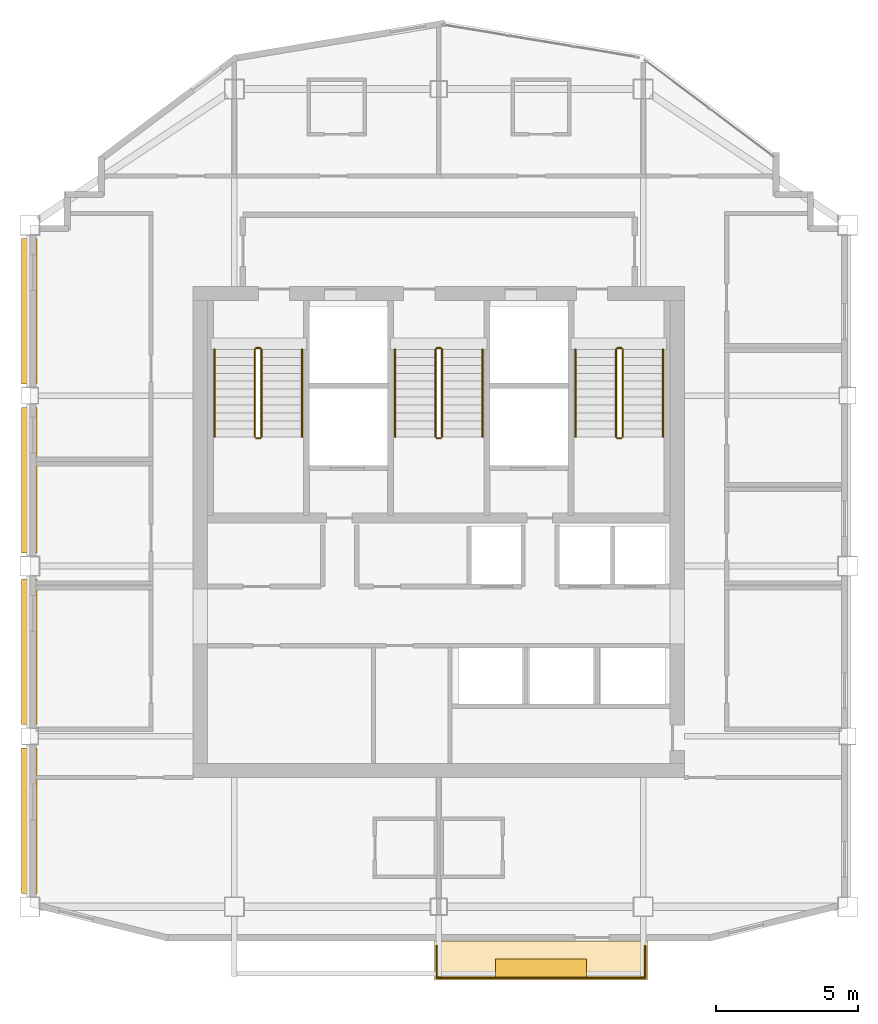
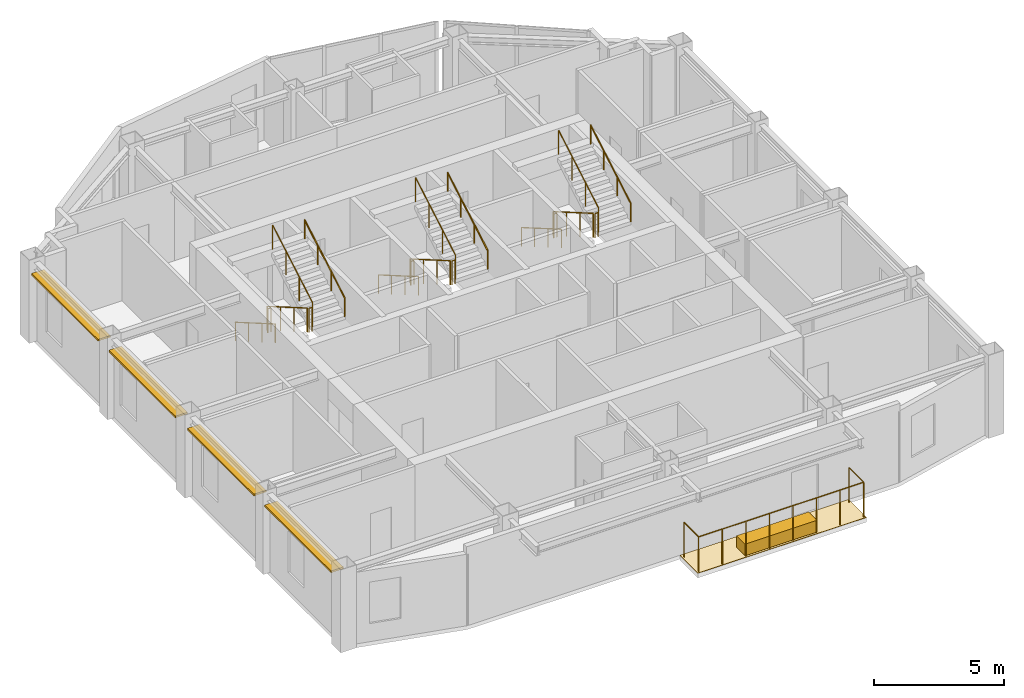
# One storey, part 8 of 8: 20 railings, 4 shading devices, 2 coverings.
"""IFC4 building model written with IfcOpenShell, lengths in metres."""

from ifc_helpers import new_model, si_unit, direction, frame, origin, origin_2d, place, context, subcontext, project, spatial, polyline, rectangle, circle, outline, extrude, material, layer, layer_set, type_object, element, save


model = new_model("IFC4")

# Units and contexts
model_context = context("Model", 3, precision=1e-05, world=origin(), true_north=direction((0.0, 1.0)))
body_context = subcontext(model_context, "Body", "Model", "MODEL_VIEW")
ifc_project = project(units=[si_unit("LENGTHUNIT", "METRE"), si_unit("AREAUNIT", "SQUARE_METRE"), si_unit("VOLUMEUNIT", "CUBIC_METRE"), si_unit("PLANEANGLEUNIT", "RADIAN"), si_unit("MASSUNIT", "GRAM", prefix="KILO")], contexts=[model_context])

# Site, building, storey
site_placement = place(None, origin())
site = spatial("IfcSite", under=ifc_project, at=site_placement, CompositionType="ELEMENT")
building_placement = place(site_placement, origin())
building = spatial("IfcBuilding", under=site, at=building_placement, Name="Haolan Belvedere Tower", CompositionType="ELEMENT")
storey_placement = place(building_placement, frame((0.0, 0.0, 293.89990234375)))
storey = spatial("IfcBuildingStorey", under=building, at=storey_placement, Name="L74", CompositionType="ELEMENT", Elevation=293.89990234375)

# Coverings
ifc_material_1 = material(Name="Engineered lightweight planted garden soil substrate", Category="masonry")
ifc_layer_1 = layer(ifc_material_1, 0.550048828125, Name="Engineered lightweight planted garden soil substrate")
ifc_layer_set_1 = layer_set([ifc_layer_1], Name="Engineered lightweight planted garden soil substrate")
covering_type_1 = type_object("IfcCoveringType", Name="COV-PLANT-550", PredefinedType="MEMBRANE", material=ifc_layer_set_1)
covering_1_placement = place(storey_placement, frame((42.0, 19.43994140625, 0.0), z_axis=(0.0, 0.0, 1.0), x_axis=(1.0, 0.0, 0.0)))
element("IfcCovering", 1, at=covering_1_placement, inside=storey, type_object=covering_type_1, Name="L74 structural tree balcony PLANTER box 1", PredefinedType="MEMBRANE", context=body_context, shape_type="SweptSolid", body=[
    extrude(rectangle(XDim=3.199951171875, YDim=0.64990234375, at=origin_2d()), origin(), (0.0, 0.0, 1.0), 0.550048828125),
])
ifc_material_2 = material(Name="Elastomeric waterproof roofing membrane and stone pavers", Category="masonry")
ifc_layer_2 = layer(ifc_material_2, 0.02001953125, Name="Elastomeric waterproof roofing membrane and stone pavers")
ifc_layer_set_2 = layer_set([ifc_layer_2], Name="Elastomeric waterproof roofing membrane and stone pavers")
covering_type_2 = type_object("IfcCoveringType", Name="COV-ROOF-20", PredefinedType="ROOFING", material=ifc_layer_set_2)
covering_2_placement = place(storey_placement, frame((0.0, 0.0, -0.02001953125)))
element("IfcCovering", 2, at=covering_2_placement, inside=storey, type_object=covering_type_2, Name="L74 tree-balcony waterproof membrane 1", PredefinedType="ROOFING", context=body_context, shape_type="SweptSolid", body=[
    extrude(outline(polyline([(38.25, 19.02001953125), (45.75, 19.02001953125), (45.75, 20.39990234375), (38.25, 20.39990234375), (38.25, 19.02001953125)])), origin(), (0.0, 0.0, 1.0), 0.02001953125),
])

# Railings
ifc_material_3 = material(Name="Brushed stainless steel 304", Category="steel")
railing_type_1 = type_object("IfcRailingType", Name="RL-STAIR-GRD-1150", PredefinedType="GUARDRAIL", material=ifc_material_3)
railing_1_placement = place(storey_placement, frame((31.919921875, 41.22998046875, 0.16259765625)))
element("IfcRailing", 3, at=railing_1_placement, inside=storey, type_object=railing_type_1, Name="L74 ST1 stair guard 1", PredefinedType="GUARDRAIL", context=body_context, shape_type="SweptSolid", body=[
    extrude(circle(Radius=0.02392578125, at=origin_2d()), frame((0.0, 0.0, 1.1259765625), z_axis=(0.0, -0.864890721111, 0.501960198159), x_axis=(1.0, 0.0, 0.0)), (0.0, 0.0, 1.0), 3.561279296875),
    extrude(circle(Radius=0.02099609375, at=origin_2d()), origin(), (0.0, 0.0, 1.0), 1.101806640625),
    extrude(circle(Radius=0.02099609375, at=origin_2d()), frame((0.0, -1.026611328125, 0.595947265625)), (0.0, 0.0, 1.0), 1.101806640625),
    extrude(circle(Radius=0.02099609375, at=origin_2d()), frame((0.0, -2.053466796875, 1.191650390625)), (0.0, 0.0, 1.0), 1.101806640625),
    extrude(circle(Radius=0.02099609375, at=origin_2d()), frame((0.0, -3.080078125, 1.78759765625)), (0.0, 0.0, 1.0), 1.101806640625),
])
railing_2_placement = place(storey_placement, frame((31.969970703125, 38.10009765625, 1.9501953125)))
element("IfcRailing", 4, at=railing_2_placement, inside=storey, type_object=railing_type_1, Name="L74 ST1 stair guard 2", PredefinedType="GUARDRAIL", context=body_context, shape_type="SweptSolid", body=[
    extrude(circle(Radius=0.02392578125, at=origin_2d()), frame((0.0, 0.0, 1.1259765625), z_axis=(1.0, 0.0, 0.0), x_axis=(0.0, 1.0, 0.0)), (0.0, 0.0, 1.0), 0.14013671875),
    extrude(circle(Radius=0.02099609375, at=origin_2d()), origin(), (0.0, 0.0, 1.0), 1.101806640625),
    extrude(circle(Radius=0.02099609375, at=origin_2d()), frame((0.14013671875, 0.0, 0.0)), (0.0, 0.0, 1.0), 1.101806640625),
])
railing_3_placement = place(storey_placement, frame((32.159912109375, 38.14990234375, 2.112548828125)))
element("IfcRailing", 5, at=railing_3_placement, inside=storey, type_object=railing_type_1, Name="L74 ST1 stair guard 3", PredefinedType="GUARDRAIL", context=body_context, shape_type="SweptSolid", body=[
    extrude(circle(Radius=0.02392578125, at=origin_2d()), frame((0.0, 0.0, 1.1259765625), z_axis=(0.0, 0.864890721111, 0.501960198159), x_axis=(-1.0, 0.0, 0.0)), (0.0, 0.0, 1.0), 3.561279296875),
    extrude(circle(Radius=0.02099609375, at=origin_2d()), origin(), (0.0, 0.0, 1.0), 1.101806640625),
    extrude(circle(Radius=0.02099609375, at=origin_2d()), frame((0.0, 1.026611328125, 0.595947265625)), (0.0, 0.0, 1.0), 1.101806640625),
    extrude(circle(Radius=0.02099609375, at=origin_2d()), frame((0.0, 2.053466796875, 1.191650390625)), (0.0, 0.0, 1.0), 1.101806640625),
    extrude(circle(Radius=0.02099609375, at=origin_2d()), frame((0.0, 3.080078125, 1.78759765625)), (0.0, 0.0, 1.0), 1.101806640625),
])
railing_4_placement = place(storey_placement, frame((31.969970703125, 41.280029296875, 0.0)))
element("IfcRailing", 6, at=railing_4_placement, inside=storey, type_object=railing_type_1, Name="L74 ST1 stair guard 4", PredefinedType="GUARDRAIL", context=body_context, shape_type="SweptSolid", body=[
    extrude(circle(Radius=0.02392578125, at=origin_2d()), frame((0.0, 0.0, 1.1259765625), z_axis=(1.0, 0.0, 0.0), x_axis=(0.0, 1.0, 0.0)), (0.0, 0.0, 1.0), 0.14013671875),
    extrude(circle(Radius=0.02099609375, at=origin_2d()), origin(), (0.0, 0.0, 1.0), 1.101806640625),
    extrude(circle(Radius=0.02099609375, at=origin_2d()), frame((0.14013671875, 0.0, 0.0)), (0.0, 0.0, 1.0), 1.101806640625),
])
railing_5_placement = place(storey_placement, frame((38.280029296875, 41.22998046875, 0.16259765625)))
element("IfcRailing", 7, at=railing_5_placement, inside=storey, type_object=railing_type_1, Name="L74 ST3 stair guard 1", PredefinedType="GUARDRAIL", context=body_context, shape_type="SweptSolid", body=[
    extrude(circle(Radius=0.02392578125, at=origin_2d()), frame((0.0, 0.0, 1.1259765625), z_axis=(0.0, -0.864890721111, 0.501960198159), x_axis=(1.0, 0.0, 0.0)), (0.0, 0.0, 1.0), 3.561279296875),
    extrude(circle(Radius=0.02099609375, at=origin_2d()), origin(), (0.0, 0.0, 1.0), 1.101806640625),
    extrude(circle(Radius=0.02099609375, at=origin_2d()), frame((0.0, -1.026611328125, 0.595947265625)), (0.0, 0.0, 1.0), 1.101806640625),
    extrude(circle(Radius=0.02099609375, at=origin_2d()), frame((0.0, -2.053466796875, 1.191650390625)), (0.0, 0.0, 1.0), 1.101806640625),
    extrude(circle(Radius=0.02099609375, at=origin_2d()), frame((0.0, -3.080078125, 1.78759765625)), (0.0, 0.0, 1.0), 1.101806640625),
])
railing_6_placement = place(storey_placement, frame((38.330078125, 38.10009765625, 1.9501953125)))
element("IfcRailing", 8, at=railing_6_placement, inside=storey, type_object=railing_type_1, Name="L74 ST3 stair guard 2", PredefinedType="GUARDRAIL", context=body_context, shape_type="SweptSolid", body=[
    extrude(circle(Radius=0.02392578125, at=origin_2d()), frame((0.0, 0.0, 1.1259765625), z_axis=(1.0, 0.0, 0.0), x_axis=(0.0, 1.0, 0.0)), (0.0, 0.0, 1.0), 0.139892578125),
    extrude(circle(Radius=0.02099609375, at=origin_2d()), origin(), (0.0, 0.0, 1.0), 1.101806640625),
    extrude(circle(Radius=0.02099609375, at=origin_2d()), frame((0.139892578125, 0.0, 0.0)), (0.0, 0.0, 1.0), 1.101806640625),
])
railing_7_placement = place(storey_placement, frame((38.52001953125, 38.14990234375, 2.112548828125)))
element("IfcRailing", 9, at=railing_7_placement, inside=storey, type_object=railing_type_1, Name="L74 ST3 stair guard 3", PredefinedType="GUARDRAIL", context=body_context, shape_type="SweptSolid", body=[
    extrude(circle(Radius=0.02392578125, at=origin_2d()), frame((0.0, 0.0, 1.1259765625), z_axis=(0.0, 0.864890721111, 0.501960198159), x_axis=(-1.0, 0.0, 0.0)), (0.0, 0.0, 1.0), 3.561279296875),
    extrude(circle(Radius=0.02099609375, at=origin_2d()), origin(), (0.0, 0.0, 1.0), 1.101806640625),
    extrude(circle(Radius=0.02099609375, at=origin_2d()), frame((0.0, 1.026611328125, 0.595947265625)), (0.0, 0.0, 1.0), 1.101806640625),
    extrude(circle(Radius=0.02099609375, at=origin_2d()), frame((0.0, 2.053466796875, 1.191650390625)), (0.0, 0.0, 1.0), 1.101806640625),
    extrude(circle(Radius=0.02099609375, at=origin_2d()), frame((0.0, 3.080078125, 1.78759765625)), (0.0, 0.0, 1.0), 1.101806640625),
])
railing_8_placement = place(storey_placement, frame((38.330078125, 41.280029296875, 0.0)))
element("IfcRailing", 10, at=railing_8_placement, inside=storey, type_object=railing_type_1, Name="L74 ST3 stair guard 4", PredefinedType="GUARDRAIL", context=body_context, shape_type="SweptSolid", body=[
    extrude(circle(Radius=0.02392578125, at=origin_2d()), frame((0.0, 0.0, 1.1259765625), z_axis=(1.0, 0.0, 0.0), x_axis=(0.0, 1.0, 0.0)), (0.0, 0.0, 1.0), 0.139892578125),
    extrude(circle(Radius=0.02099609375, at=origin_2d()), origin(), (0.0, 0.0, 1.0), 1.101806640625),
    extrude(circle(Radius=0.02099609375, at=origin_2d()), frame((0.139892578125, 0.0, 0.0)), (0.0, 0.0, 1.0), 1.101806640625),
])
railing_9_placement = place(storey_placement, frame((44.639892578125, 41.22998046875, 0.16259765625)))
element("IfcRailing", 11, at=railing_9_placement, inside=storey, type_object=railing_type_1, Name="L74 ST2 stair guard 1", PredefinedType="GUARDRAIL", context=body_context, shape_type="SweptSolid", body=[
    extrude(circle(Radius=0.02392578125, at=origin_2d()), frame((0.0, 0.0, 1.1259765625), z_axis=(0.0, -0.864890721111, 0.501960198159), x_axis=(1.0, 0.0, 0.0)), (0.0, 0.0, 1.0), 3.561279296875),
    extrude(circle(Radius=0.02099609375, at=origin_2d()), origin(), (0.0, 0.0, 1.0), 1.101806640625),
    extrude(circle(Radius=0.02099609375, at=origin_2d()), frame((0.0, -1.026611328125, 0.595947265625)), (0.0, 0.0, 1.0), 1.101806640625),
    extrude(circle(Radius=0.02099609375, at=origin_2d()), frame((0.0, -2.053466796875, 1.191650390625)), (0.0, 0.0, 1.0), 1.101806640625),
    extrude(circle(Radius=0.02099609375, at=origin_2d()), frame((0.0, -3.080078125, 1.78759765625)), (0.0, 0.0, 1.0), 1.101806640625),
])
railing_10_placement = place(storey_placement, frame((44.68994140625, 38.10009765625, 1.9501953125)))
element("IfcRailing", 12, at=railing_10_placement, inside=storey, type_object=railing_type_1, Name="L74 ST2 stair guard 2", PredefinedType="GUARDRAIL", context=body_context, shape_type="SweptSolid", body=[
    extrude(circle(Radius=0.02392578125, at=origin_2d()), frame((0.0, 0.0, 1.1259765625), z_axis=(1.0, 0.0, 0.0), x_axis=(0.0, 1.0, 0.0)), (0.0, 0.0, 1.0), 0.14013671875),
    extrude(circle(Radius=0.02099609375, at=origin_2d()), origin(), (0.0, 0.0, 1.0), 1.101806640625),
    extrude(circle(Radius=0.02099609375, at=origin_2d()), frame((0.14013671875, 0.0, 0.0)), (0.0, 0.0, 1.0), 1.101806640625),
])
railing_11_placement = place(storey_placement, frame((44.8798828125, 38.14990234375, 2.112548828125)))
element("IfcRailing", 13, at=railing_11_placement, inside=storey, type_object=railing_type_1, Name="L74 ST2 stair guard 3", PredefinedType="GUARDRAIL", context=body_context, shape_type="SweptSolid", body=[
    extrude(circle(Radius=0.02392578125, at=origin_2d()), frame((0.0, 0.0, 1.1259765625), z_axis=(0.0, 0.864890721111, 0.501960198159), x_axis=(-1.0, 0.0, 0.0)), (0.0, 0.0, 1.0), 3.561279296875),
    extrude(circle(Radius=0.02099609375, at=origin_2d()), origin(), (0.0, 0.0, 1.0), 1.101806640625),
    extrude(circle(Radius=0.02099609375, at=origin_2d()), frame((0.0, 1.026611328125, 0.595947265625)), (0.0, 0.0, 1.0), 1.101806640625),
    extrude(circle(Radius=0.02099609375, at=origin_2d()), frame((0.0, 2.053466796875, 1.191650390625)), (0.0, 0.0, 1.0), 1.101806640625),
    extrude(circle(Radius=0.02099609375, at=origin_2d()), frame((0.0, 3.080078125, 1.78759765625)), (0.0, 0.0, 1.0), 1.101806640625),
])
railing_12_placement = place(storey_placement, frame((44.68994140625, 41.280029296875, 0.0)))
element("IfcRailing", 14, at=railing_12_placement, inside=storey, type_object=railing_type_1, Name="L74 ST2 stair guard 4", PredefinedType="GUARDRAIL", context=body_context, shape_type="SweptSolid", body=[
    extrude(circle(Radius=0.02392578125, at=origin_2d()), frame((0.0, 0.0, 1.1259765625), z_axis=(1.0, 0.0, 0.0), x_axis=(0.0, 1.0, 0.0)), (0.0, 0.0, 1.0), 0.14013671875),
    extrude(circle(Radius=0.02099609375, at=origin_2d()), origin(), (0.0, 0.0, 1.0), 1.101806640625),
    extrude(circle(Radius=0.02099609375, at=origin_2d()), frame((0.14013671875, 0.0, 0.0)), (0.0, 0.0, 1.0), 1.101806640625),
])
railing_type_2 = type_object("IfcRailingType", Name="RL-STAIR-HND-900", PredefinedType="HANDRAIL", material=ifc_material_3)
railing_13_placement = place(storey_placement, frame((30.5, 41.22998046875, 0.16259765625)))
element("IfcRailing", 15, at=railing_13_placement, inside=storey, type_object=railing_type_2, Name="L74 ST1 stair handrail 1", PredefinedType="HANDRAIL", context=body_context, shape_type="SweptSolid", body=[
    extrude(circle(Radius=0.02392578125, at=origin_2d()), frame((0.0, 0.0, 0.8759765625), z_axis=(0.0, -0.864890721111, 0.501960198159), x_axis=(1.0, 0.0, 0.0)), (0.0, 0.0, 1.0), 3.561279296875),
    extrude(circle(Radius=0.02099609375, at=origin_2d()), origin(), (0.0, 0.0, 1.0), 0.851806640625),
    extrude(circle(Radius=0.02099609375, at=origin_2d()), frame((0.0, -1.026611328125, 0.595947265625)), (0.0, 0.0, 1.0), 0.851806640625),
    extrude(circle(Radius=0.02099609375, at=origin_2d()), frame((0.0, -2.053466796875, 1.191650390625)), (0.0, 0.0, 1.0), 0.851806640625),
    extrude(circle(Radius=0.02099609375, at=origin_2d()), frame((0.0, -3.080078125, 1.78759765625)), (0.0, 0.0, 1.0), 0.851806640625),
])
railing_14_placement = place(storey_placement, frame((33.580078125, 38.14990234375, 2.112548828125)))
element("IfcRailing", 16, at=railing_14_placement, inside=storey, type_object=railing_type_2, Name="L74 ST1 stair handrail 2", PredefinedType="HANDRAIL", context=body_context, shape_type="SweptSolid", body=[
    extrude(circle(Radius=0.02392578125, at=origin_2d()), frame((0.0, 0.0, 0.8759765625), z_axis=(0.0, 0.864890721111, 0.501960198159), x_axis=(-1.0, 0.0, 0.0)), (0.0, 0.0, 1.0), 3.561279296875),
    extrude(circle(Radius=0.02099609375, at=origin_2d()), origin(), (0.0, 0.0, 1.0), 0.851806640625),
    extrude(circle(Radius=0.02099609375, at=origin_2d()), frame((0.0, 1.026611328125, 0.595947265625)), (0.0, 0.0, 1.0), 0.851806640625),
    extrude(circle(Radius=0.02099609375, at=origin_2d()), frame((0.0, 2.053466796875, 1.191650390625)), (0.0, 0.0, 1.0), 0.851806640625),
    extrude(circle(Radius=0.02099609375, at=origin_2d()), frame((0.0, 3.080078125, 1.78759765625)), (0.0, 0.0, 1.0), 0.851806640625),
])
railing_15_placement = place(storey_placement, frame((36.860107421875, 41.22998046875, 0.16259765625)))
element("IfcRailing", 17, at=railing_15_placement, inside=storey, type_object=railing_type_2, Name="L74 ST3 stair handrail 1", PredefinedType="HANDRAIL", context=body_context, shape_type="SweptSolid", body=[
    extrude(circle(Radius=0.02392578125, at=origin_2d()), frame((0.0, 0.0, 0.8759765625), z_axis=(0.0, -0.864890721111, 0.501960198159), x_axis=(1.0, 0.0, 0.0)), (0.0, 0.0, 1.0), 3.561279296875),
    extrude(circle(Radius=0.02099609375, at=origin_2d()), origin(), (0.0, 0.0, 1.0), 0.851806640625),
    extrude(circle(Radius=0.02099609375, at=origin_2d()), frame((0.0, -1.026611328125, 0.595947265625)), (0.0, 0.0, 1.0), 0.851806640625),
    extrude(circle(Radius=0.02099609375, at=origin_2d()), frame((0.0, -2.053466796875, 1.191650390625)), (0.0, 0.0, 1.0), 0.851806640625),
    extrude(circle(Radius=0.02099609375, at=origin_2d()), frame((0.0, -3.080078125, 1.78759765625)), (0.0, 0.0, 1.0), 0.851806640625),
])
railing_16_placement = place(storey_placement, frame((39.93994140625, 38.14990234375, 2.112548828125)))
element("IfcRailing", 18, at=railing_16_placement, inside=storey, type_object=railing_type_2, Name="L74 ST3 stair handrail 2", PredefinedType="HANDRAIL", context=body_context, shape_type="SweptSolid", body=[
    extrude(circle(Radius=0.02392578125, at=origin_2d()), frame((0.0, 0.0, 0.8759765625), z_axis=(0.0, 0.864890721111, 0.501960198159), x_axis=(-1.0, 0.0, 0.0)), (0.0, 0.0, 1.0), 3.561279296875),
    extrude(circle(Radius=0.02099609375, at=origin_2d()), origin(), (0.0, 0.0, 1.0), 0.851806640625),
    extrude(circle(Radius=0.02099609375, at=origin_2d()), frame((0.0, 1.026611328125, 0.595947265625)), (0.0, 0.0, 1.0), 0.851806640625),
    extrude(circle(Radius=0.02099609375, at=origin_2d()), frame((0.0, 2.053466796875, 1.191650390625)), (0.0, 0.0, 1.0), 0.851806640625),
    extrude(circle(Radius=0.02099609375, at=origin_2d()), frame((0.0, 3.080078125, 1.78759765625)), (0.0, 0.0, 1.0), 0.851806640625),
])
railing_17_placement = place(storey_placement, frame((43.219970703125, 41.22998046875, 0.16259765625)))
element("IfcRailing", 19, at=railing_17_placement, inside=storey, type_object=railing_type_2, Name="L74 ST2 stair handrail 1", PredefinedType="HANDRAIL", context=body_context, shape_type="SweptSolid", body=[
    extrude(circle(Radius=0.02392578125, at=origin_2d()), frame((0.0, 0.0, 0.8759765625), z_axis=(0.0, -0.864890721111, 0.501960198159), x_axis=(1.0, 0.0, 0.0)), (0.0, 0.0, 1.0), 3.561279296875),
    extrude(circle(Radius=0.02099609375, at=origin_2d()), origin(), (0.0, 0.0, 1.0), 0.851806640625),
    extrude(circle(Radius=0.02099609375, at=origin_2d()), frame((0.0, -1.026611328125, 0.595947265625)), (0.0, 0.0, 1.0), 0.851806640625),
    extrude(circle(Radius=0.02099609375, at=origin_2d()), frame((0.0, -2.053466796875, 1.191650390625)), (0.0, 0.0, 1.0), 0.851806640625),
    extrude(circle(Radius=0.02099609375, at=origin_2d()), frame((0.0, -3.080078125, 1.78759765625)), (0.0, 0.0, 1.0), 0.851806640625),
])
railing_18_placement = place(storey_placement, frame((46.300048828125, 38.14990234375, 2.112548828125)))
element("IfcRailing", 20, at=railing_18_placement, inside=storey, type_object=railing_type_2, Name="L74 ST2 stair handrail 2", PredefinedType="HANDRAIL", context=body_context, shape_type="SweptSolid", body=[
    extrude(circle(Radius=0.02392578125, at=origin_2d()), frame((0.0, 0.0, 0.8759765625), z_axis=(0.0, 0.864890721111, 0.501960198159), x_axis=(-1.0, 0.0, 0.0)), (0.0, 0.0, 1.0), 3.561279296875),
    extrude(circle(Radius=0.02099609375, at=origin_2d()), origin(), (0.0, 0.0, 1.0), 0.851806640625),
    extrude(circle(Radius=0.02099609375, at=origin_2d()), frame((0.0, 1.026611328125, 0.595947265625)), (0.0, 0.0, 1.0), 0.851806640625),
    extrude(circle(Radius=0.02099609375, at=origin_2d()), frame((0.0, 2.053466796875, 1.191650390625)), (0.0, 0.0, 1.0), 0.851806640625),
    extrude(circle(Radius=0.02099609375, at=origin_2d()), frame((0.0, 3.080078125, 1.78759765625)), (0.0, 0.0, 1.0), 0.851806640625),
])
ifc_material_4 = material(Name="Anodised aluminium and laminated glass balustrade", Category="aluminium")
railing_type_3 = type_object("IfcRailingType", Name="RL-TER-BAL-1150", PredefinedType="BALUSTRADE", material=ifc_material_4)
railing_19_placement = place(storey_placement, frame((38.330078125, 19.10009765625, 0.0)))
element("IfcRailing", 21, at=railing_19_placement, inside=storey, type_object=railing_type_3, Name="L74 outdoor perimeter balustrade BAL-L74-1-1", PredefinedType="BALUSTRADE", context=body_context, shape_type="SweptSolid", body=[
    extrude(circle(Radius=0.02392578125, at=origin_2d()), frame((0.0, 0.0, 1.6259765625), z_axis=(0.0, 1.0, 0.0), x_axis=(-1.0, 0.0, 0.0)), (0.0, 0.0, 1.0), 1.119873046875),
    extrude(circle(Radius=0.02099609375, at=origin_2d()), origin(), (0.0, 0.0, 1.0), 1.601806640625),
    extrude(circle(Radius=0.02099609375, at=origin_2d()), frame((0.0, 1.119873046875, 0.0)), (0.0, 0.0, 1.0), 1.601806640625),
])
railing_20_placement = place(storey_placement, frame((45.669921875, 20.219970703125, 0.0)))
element("IfcRailing", 22, at=railing_20_placement, inside=storey, type_object=railing_type_3, Name="L74 outdoor perimeter balustrade BAL-L74-1-2", PredefinedType="BALUSTRADE", context=body_context, shape_type="SweptSolid", body=[
    extrude(circle(Radius=0.02392578125, at=origin_2d()), frame((0.0, 0.0, 1.6259765625), z_axis=(0.0, -1.0, 0.0), x_axis=(1.0, 0.0, 0.0)), (0.0, 0.0, 1.0), 1.119873046875),
    extrude(circle(Radius=0.02392578125, at=origin_2d()), frame((0.0, -1.119873046875, 1.6259765625), z_axis=(-1.0, 0.0, 0.0), x_axis=(0.0, -1.0, 0.0)), (0.0, 0.0, 1.0), 7.33984375),
    extrude(circle(Radius=0.02099609375, at=origin_2d()), origin(), (0.0, 0.0, 1.0), 1.601806640625),
    extrude(circle(Radius=0.02099609375, at=origin_2d()), frame((0.0, -1.119873046875, 0.0)), (0.0, 0.0, 1.0), 1.601806640625),
    extrude(circle(Radius=0.02099609375, at=origin_2d()), frame((-1.048583984375, -1.119873046875, 0.0)), (0.0, 0.0, 1.0), 1.601806640625),
    extrude(circle(Radius=0.02099609375, at=origin_2d()), frame((-2.09716796875, -1.119873046875, 0.0)), (0.0, 0.0, 1.0), 1.601806640625),
    extrude(circle(Radius=0.02099609375, at=origin_2d()), frame((-3.145751953125, -1.119873046875, 0.0)), (0.0, 0.0, 1.0), 1.601806640625),
    extrude(circle(Radius=0.02099609375, at=origin_2d()), frame((-4.194091796875, -1.119873046875, 0.0)), (0.0, 0.0, 1.0), 1.601806640625),
    extrude(circle(Radius=0.02099609375, at=origin_2d()), frame((-5.24267578125, -1.119873046875, 0.0)), (0.0, 0.0, 1.0), 1.601806640625),
    extrude(circle(Radius=0.02099609375, at=origin_2d()), frame((-6.291259765625, -1.119873046875, 0.0)), (0.0, 0.0, 1.0), 1.601806640625),
    extrude(circle(Radius=0.02099609375, at=origin_2d()), frame((-7.33984375, -1.119873046875, 0.0)), (0.0, 0.0, 1.0), 1.601806640625),
])

# Shading devices
ifc_material_5 = material(Name="Anodised champagne-silver aluminium 6063-T6", Category="aluminium")
ifc_layer_3 = layer(ifc_material_5, 0.080078125, Name="Anodised champagne-silver aluminium 6063-T6")
ifc_layer_set_3 = layer_set([ifc_layer_3], Name="Anodised champagne-silver aluminium 6063-T6")
shading_device_type = type_object("IfcShadingDeviceType", Name="SHD-SUN-550", PredefinedType="USERDEFINED", material=ifc_layer_set_3)
for number, where, z_axis, x_axis, name in (
    (23, (23.969970703125, 42.574951171875, 3.26513671875), (0.0, 0.0, 1.0), (0.0, -1.0, 0.0), "L74 pale-metal horizontal SUNSHADE band 16.1"),
    (24, (23.969970703125, 36.625, 3.26513671875), (0.0, 0.0, 1.0), (0.0, -1.0, 0.0), "L74 pale-metal horizontal SUNSHADE band 16.2"),
    (25, (23.969970703125, 30.574951171875, 3.26513671875), (0.0, 0.0, 1.0), (0.0, -1.0, 0.0), "L74 pale-metal horizontal SUNSHADE band 16.3"),
    (26, (23.969970703125, 24.625, 3.26513671875), (0.0, 0.0, 1.0), (0.0, -1.0, 0.0), "L74 pale-metal horizontal SUNSHADE band 16.4"),
):
    element("IfcShadingDevice", number, at=place(storey_placement, frame(where, z_axis=z_axis, x_axis=x_axis)), inside=storey, type_object=shading_device_type, Name=name, ObjectType="SUNSHADE", PredefinedType="USERDEFINED", context=body_context, shape_type="SweptSolid", body=[
        extrude(rectangle(XDim=5.1259765625, YDim=0.550048828125, at=origin_2d()), origin(), (0.0, 0.0, 1.0), 0.080078125),
    ])

save(model, "model.ifc")
